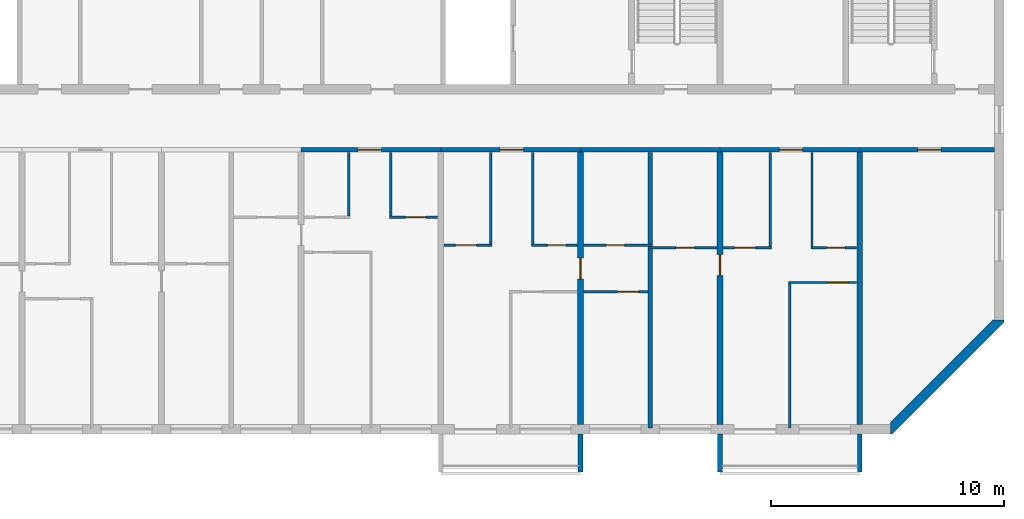
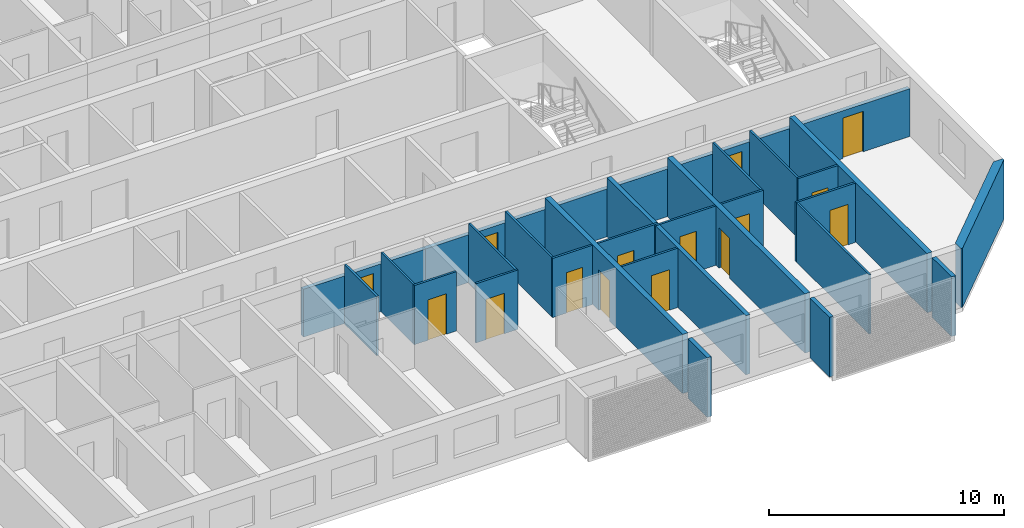
# One storey, part 5 of 28: 30 walls, 15 doors, 15 openings.
"""IFC4 building model written with IfcOpenShell, lengths in metres."""

from ifc_helpers import new_model, si_unit, direction, frame, frame_2d, origin, place, context, subcontext, project, spatial, polyline, rectangle, outline, extrude, source, transform, mapped, material, layer, layer_set, type_object, element, fill, save


model = new_model("IFC4")

# Units and contexts
model_context = context("Model", 3, precision=1e-05, world=origin(), true_north=direction((0.0, 1.0)))
body_context = subcontext(model_context, "Body", "Model", "MODEL_VIEW")
ifc_project = project(units=[si_unit("LENGTHUNIT", "METRE"), si_unit("AREAUNIT", "SQUARE_METRE"), si_unit("VOLUMEUNIT", "CUBIC_METRE"), si_unit("PLANEANGLEUNIT", "RADIAN"), si_unit("MASSUNIT", "GRAM", prefix="KILO")], contexts=[model_context])

# Site, building, storey
site_placement = place(None, origin())
site = spatial("IfcSite", under=ifc_project, at=site_placement, CompositionType="ELEMENT")
building_placement = place(site_placement, origin())
building = spatial("IfcBuilding", under=site, at=building_placement, Name="Poui Terraces", CompositionType="ELEMENT")
storey_placement = place(building_placement, frame((0.0, 0.0, 185.10009765625)))
storey = spatial("IfcBuildingStorey", under=building, at=storey_placement, Name="L51", CompositionType="ELEMENT", Elevation=185.10009765625)

# Wall, opening, door
ifc_material_1 = material(Name="Concrete 50 MPa", Category="concrete")
ifc_layer_1 = layer(ifc_material_1, 0.199951171875)
ifc_layer_set_1 = layer_set([ifc_layer_1], Name="Concrete 50 MPa")
wall_type_1 = type_object("IfcWallType", Name="CORRIDOR WALL 200 50MPa", PredefinedType="SHEAR", material=ifc_layer_set_1)
wall_1_placement = place(storey_placement, frame((54.0, 12.0, 0.0), z_axis=(0.0, 0.0, 1.0), x_axis=(1.0, 0.0, 0.0)))
wall_1 = element("IfcWall", 1, at=wall_1_placement, inside=storey, type_object=wall_type_1, Name="CORRIDOR WALL LINE B BAY 7", PredefinedType="SHEAR", context=body_context, shape_type="SweptSolid", body=[
    extrude(rectangle(XDim=6.0, YDim=0.199951171875, at=frame_2d((3.0, 0.0))), origin(), (0.0, 0.0, 1.0), 2.47998046875),
])
opening_1_placement = place(wall_1_placement, frame((2.449951171875, 0.0, 0.0)))
opening_1 = element("IfcOpeningElement", 2, at=opening_1_placement, cuts=wall_1, Name="Opening FD30S", PredefinedType="OPENING", context=body_context, shape_type="SweptSolid", body=[
    extrude(rectangle(XDim=1.0, YDim=2.10009765625, at=frame_2d((0.5, 1.050048828125))), frame((0.0, 0.10986328125, 0.0), z_axis=(0.0, -1.0, 0.0), x_axis=(1.0, 0.0, 0.0)), (0.0, 0.0, 1.0), 0.219970703125),
])
ifc_material_2 = material(Name="Steel fire door", Category="steel")
door_type_1 = type_object("IfcDoorType", Name="FLAT ENTRANCE DOOR 1000 X 2100", OperationType="NOTDEFINED", PredefinedType="DOOR", material=ifc_material_2)
door_1_placement = place(opening_1_placement, frame((1.0, 0.0, 0.0), z_axis=(0.0, 0.0, 1.0), x_axis=(-1.0, 0.0, 0.0)))
door_1 = element("IfcDoor", 3, at=door_1_placement, inside=storey, type_object=door_type_1, Name="FLAT ENTRANCE DOOR 086", OperationType="SINGLE_SWING_RIGHT", OverallHeight=2.10009765625, OverallWidth=1.0, PredefinedType="DOOR", context=body_context, shape_type="SweptSolid", body=[
    extrude(rectangle(XDim=1.0, YDim=2.10009765625, at=frame_2d((0.5, 1.050048828125))), frame((0.0, 0.02490234375, 0.0), z_axis=(0.0, -1.0, 0.0), x_axis=(1.0, 0.0, 0.0)), (0.0, 0.0, 1.0), 0.050048828125),
])
fill(opening_1, door_1)

wall_2_placement = place(storey_placement, frame((60.0, 12.0, 0.0), z_axis=(0.0, 0.0, 1.0), x_axis=(1.0, 0.0, 0.0)))
wall_2 = element("IfcWall", 4, at=wall_2_placement, inside=storey, type_object=wall_type_1, Name="CORRIDOR WALL LINE B BAY 8", PredefinedType="SHEAR", context=body_context, shape_type="SweptSolid", body=[
    extrude(rectangle(XDim=6.0, YDim=0.199951171875, at=frame_2d((3.0, 0.0))), origin(), (0.0, 0.0, 1.0), 2.47998046875),
])
opening_2_placement = place(wall_2_placement, frame((2.550048828125, 0.0, 0.0)))
opening_2 = element("IfcOpeningElement", 5, at=opening_2_placement, cuts=wall_2, Name="Opening FD30S", PredefinedType="OPENING", context=body_context, shape_type="SweptSolid", body=[
    extrude(rectangle(XDim=1.0, YDim=2.10009765625, at=frame_2d((0.5, 1.050048828125))), frame((0.0, 0.10986328125, 0.0), z_axis=(0.0, -1.0, 0.0), x_axis=(1.0, 0.0, 0.0)), (0.0, 0.0, 1.0), 0.219970703125),
])
door_2_placement = place(opening_2_placement, frame((1.0, 0.0, 0.0), z_axis=(0.0, 0.0, 1.0), x_axis=(-1.0, 0.0, 0.0)))
door_2 = element("IfcDoor", 6, at=door_2_placement, inside=storey, type_object=door_type_1, Name="FLAT ENTRANCE DOOR 091", OperationType="SINGLE_SWING_LEFT", OverallHeight=2.10009765625, OverallWidth=1.0, PredefinedType="DOOR", context=body_context, shape_type="SweptSolid", body=[
    extrude(rectangle(XDim=1.0, YDim=2.10009765625, at=frame_2d((0.5, 1.050048828125))), frame((0.0, 0.02490234375, 0.0), z_axis=(0.0, -1.0, 0.0), x_axis=(1.0, 0.0, 0.0)), (0.0, 0.0, 1.0), 0.050048828125),
])
fill(opening_2, door_2)

# Wall
wall_3_placement = place(storey_placement, frame((66.0, 12.0, 0.0), z_axis=(0.0, 0.0, 1.0), x_axis=(1.0, 0.0, 0.0)))
element("IfcWall", 7, at=wall_3_placement, inside=storey, type_object=wall_type_1, Name="CORRIDOR WALL LINE B BAY 9", PredefinedType="SHEAR", context=body_context, shape_type="SweptSolid", body=[
    extrude(rectangle(XDim=6.0, YDim=0.199951171875, at=frame_2d((3.0, 0.0))), origin(), (0.0, 0.0, 1.0), 2.47998046875),
])

# Wall, opening, door
wall_4_placement = place(storey_placement, frame((72.0, 12.0, 0.0), z_axis=(0.0, 0.0, 1.0), x_axis=(1.0, 0.0, 0.0)))
wall_4 = element("IfcWall", 8, at=wall_4_placement, inside=storey, type_object=wall_type_1, Name="CORRIDOR WALL LINE B BAY 10", PredefinedType="SHEAR", context=body_context, shape_type="SweptSolid", body=[
    extrude(rectangle(XDim=6.0, YDim=0.199951171875, at=frame_2d((3.0, 0.0))), origin(), (0.0, 0.0, 1.0), 2.47998046875),
])
opening_3_placement = place(wall_4_placement, frame((2.550048828125, 0.0, 0.0)))
opening_3 = element("IfcOpeningElement", 9, at=opening_3_placement, cuts=wall_4, Name="Opening FD30S", PredefinedType="OPENING", context=body_context, shape_type="SweptSolid", body=[
    extrude(rectangle(XDim=1.0, YDim=2.10009765625, at=frame_2d((0.5, 1.050048828125))), frame((0.0, 0.10986328125, 0.0), z_axis=(0.0, -1.0, 0.0), x_axis=(1.0, 0.0, 0.0)), (0.0, 0.0, 1.0), 0.219970703125),
])
door_3_placement = place(opening_3_placement, frame((1.0, 0.0, 0.0), z_axis=(0.0, 0.0, 1.0), x_axis=(-1.0, 0.0, 0.0)))
door_3 = element("IfcDoor", 10, at=door_3_placement, inside=storey, type_object=door_type_1, Name="FLAT ENTRANCE DOOR 098", OperationType="SINGLE_SWING_LEFT", OverallHeight=2.10009765625, OverallWidth=1.0, PredefinedType="DOOR", context=body_context, shape_type="SweptSolid", body=[
    extrude(rectangle(XDim=1.0, YDim=2.10009765625, at=frame_2d((0.5, 1.050048828125))), frame((0.0, 0.02490234375, 0.0), z_axis=(0.0, -1.0, 0.0), x_axis=(1.0, 0.0, 0.0)), (0.0, 0.0, 1.0), 0.050048828125),
])
fill(opening_3, door_3)

wall_5_placement = place(storey_placement, frame((78.0, 12.0, 0.0), z_axis=(0.0, 0.0, 1.0), x_axis=(1.0, 0.0, 0.0)))
wall_5 = element("IfcWall", 11, at=wall_5_placement, inside=storey, type_object=wall_type_1, Name="CORRIDOR WALL LINE B BAY 11", PredefinedType="SHEAR", context=body_context, shape_type="SweptSolid", body=[
    extrude(rectangle(XDim=5.800048828125, YDim=0.199951171875, at=frame_2d((2.89990234375, 0.0))), origin(), (0.0, 0.0, 1.0), 2.47998046875),
])
opening_4_placement = place(wall_5_placement, frame((2.5, 0.0, 0.0)))
opening_4 = element("IfcOpeningElement", 12, at=opening_4_placement, cuts=wall_5, Name="Opening D100", PredefinedType="OPENING", context=body_context, shape_type="SweptSolid", body=[
    extrude(rectangle(XDim=1.0, YDim=2.10009765625, at=frame_2d((0.5, 1.050048828125))), frame((0.0, 0.10986328125, 0.0), z_axis=(0.0, -1.0, 0.0), x_axis=(1.0, 0.0, 0.0)), (0.0, 0.0, 1.0), 0.219970703125),
])
ifc_material_3 = material(Name="Solid core timber door", Category="wood")
door_type_2 = type_object("IfcDoorType", Name="ACCESSIBLE INTERNAL DOOR 1000 X 2100", OperationType="NOTDEFINED", PredefinedType="DOOR", material=ifc_material_3)
door_4_placement = place(opening_4_placement, frame((1.0, 0.0, 0.0), z_axis=(0.0, 0.0, 1.0), x_axis=(-1.0, 0.0, 0.0)))
door_4 = element("IfcDoor", 13, at=door_4_placement, inside=storey, type_object=door_type_2, Name="ACCESSIBLE INTERNAL DOOR 101", OperationType="SINGLE_SWING_RIGHT", OverallHeight=2.10009765625, OverallWidth=1.0, PredefinedType="DOOR", context=body_context, shape_type="SweptSolid", body=[
    extrude(rectangle(XDim=1.0, YDim=2.10009765625, at=frame_2d((0.5, 1.050048828125))), frame((0.0, 0.02490234375, 0.0), z_axis=(0.0, -1.0, 0.0), x_axis=(1.0, 0.0, 0.0)), (0.0, 0.0, 1.0), 0.050048828125),
])
fill(opening_4, door_4)

ifc_layer_2 = layer(ifc_material_1, 0.25)
ifc_layer_set_2 = layer_set([ifc_layer_2], Name="Concrete 50 MPa")
wall_type_2 = type_object("IfcWallType", Name="CROSS WALL 250 50MPa", PredefinedType="SHEAR", material=ifc_layer_set_2)
wall_6_placement = place(storey_placement, frame((66.0, 0.199951171875, 0.0), z_axis=(0.0, 0.0, 1.0), x_axis=(0.0, 1.0, 0.0)))
wall_6 = element("IfcWall", 14, at=wall_6_placement, inside=storey, type_object=wall_type_2, Name="CROSS WALL LINE 12 SOUTH", PredefinedType="SHEAR", context=body_context, shape_type="SweptSolid", body=[
    extrude(rectangle(XDim=11.699951171875, YDim=0.25, at=frame_2d((5.85009765625, 0.0))), origin(), (0.0, 0.0, 1.0), 3.079833984375),
])
opening_5_placement = place(wall_6_placement, frame((6.25, 0.0, 0.0)))
opening_5 = element("IfcOpeningElement", 15, at=opening_5_placement, cuts=wall_6, Name="Opening D90", PredefinedType="OPENING", context=body_context, shape_type="SweptSolid", body=[
    extrude(rectangle(XDim=0.89990234375, YDim=2.10009765625, at=frame_2d((0.449951171875, 1.050048828125))), frame((0.0, 0.135009765625, 0.0), z_axis=(0.0, -1.0, 0.0), x_axis=(1.0, 0.0, 0.0)), (0.0, 0.0, 1.0), 0.27001953125),
])
door_type_3 = type_object("IfcDoorType", Name="INTERNAL DOOR 900 X 2100", OperationType="NOTDEFINED", PredefinedType="DOOR", material=ifc_material_3)
door_5_placement = place(opening_5_placement, origin())
door_5 = element("IfcDoor", 16, at=door_5_placement, inside=storey, type_object=door_type_3, Name="INTERNAL DOOR 094", OperationType="SINGLE_SWING_RIGHT", OverallHeight=2.10009765625, OverallWidth=0.89990234375, PredefinedType="DOOR", context=body_context, shape_type="SweptSolid", body=[
    extrude(rectangle(XDim=0.89990234375, YDim=2.10009765625, at=frame_2d((0.449951171875, 1.050048828125))), frame((0.0, 0.02490234375, 0.0), z_axis=(0.0, -1.0, 0.0), x_axis=(1.0, 0.0, 0.0)), (0.0, 0.0, 1.0), 0.050048828125),
])
fill(opening_5, door_5)

wall_7_placement = place(storey_placement, frame((72.0, 0.199951171875, 0.0), z_axis=(0.0, 0.0, 1.0), x_axis=(0.0, 1.0, 0.0)))
wall_7 = element("IfcWall", 17, at=wall_7_placement, inside=storey, type_object=wall_type_2, Name="CROSS WALL LINE 13 SOUTH", PredefinedType="SHEAR", context=body_context, shape_type="SweptSolid", body=[
    extrude(rectangle(XDim=11.699951171875, YDim=0.25, at=frame_2d((5.85009765625, 0.0))), origin(), (0.0, 0.0, 1.0), 3.079833984375),
])
opening_6_placement = place(wall_7_placement, frame((6.39990234375, 0.0, 0.0)))
opening_6 = element("IfcOpeningElement", 18, at=opening_6_placement, cuts=wall_7, Name="Opening D90", PredefinedType="OPENING", context=body_context, shape_type="SweptSolid", body=[
    extrude(rectangle(XDim=0.89990234375, YDim=2.10009765625, at=frame_2d((0.449951171875, 1.050048828125))), frame((0.0, 0.135009765625, 0.0), z_axis=(0.0, -1.0, 0.0), x_axis=(1.0, 0.0, 0.0)), (0.0, 0.0, 1.0), 0.27001953125),
])
door_6_placement = place(opening_6_placement, origin())
door_6 = element("IfcDoor", 19, at=door_6_placement, inside=storey, type_object=door_type_3, Name="INTERNAL DOOR 096", OperationType="SINGLE_SWING_RIGHT", OverallHeight=2.10009765625, OverallWidth=0.89990234375, PredefinedType="DOOR", context=body_context, shape_type="SweptSolid", body=[
    extrude(rectangle(XDim=0.89990234375, YDim=2.10009765625, at=frame_2d((0.449951171875, 1.050048828125))), frame((0.0, 0.02490234375, 0.0), z_axis=(0.0, -1.0, 0.0), x_axis=(1.0, 0.0, 0.0)), (0.0, 0.0, 1.0), 0.050048828125),
])
fill(opening_6, door_6)

# Wall
wall_8_placement = place(storey_placement, frame((78.0, 0.199951171875, 0.0), z_axis=(0.0, 0.0, 1.0), x_axis=(0.0, 1.0, 0.0)))
element("IfcWall", 20, at=wall_8_placement, inside=storey, type_object=wall_type_2, Name="CROSS WALL LINE 14 SOUTH", PredefinedType="SHEAR", context=body_context, shape_type="SweptSolid", body=[
    extrude(rectangle(XDim=11.699951171875, YDim=0.25, at=frame_2d((5.85009765625, 0.0))), origin(), (0.0, 0.0, 1.0), 3.079833984375),
])

# Wall, opening, door
ifc_material_4 = material(Name="Plasterboard partition")
ifc_layer_3 = layer(ifc_material_4, 0.10009765625)
ifc_layer_set_3 = layer_set([ifc_layer_3], Name="Plasterboard partition")
wall_type_3 = type_object("IfcWallType", Name="FLAT PARTITION 100", PredefinedType="PARTITIONING", material=ifc_layer_set_3)
wall_9_placement = place(storey_placement, frame((66.135009765625, 5.89990234375, 0.0), z_axis=(0.0, 0.0, 1.0), x_axis=(1.0, 0.0, 0.0)))
wall_9 = element("IfcWall", 21, at=wall_9_placement, inside=storey, type_object=wall_type_3, Name="FLAT PARTITION 100", PredefinedType="PARTITIONING", context=body_context, shape_type="SweptSolid", body=[
    extrude(rectangle(XDim=2.764892578125, YDim=0.10009765625, at=frame_2d((1.38232421875, 0.0))), origin(), (0.0, 0.0, 1.0), 3.079833984375),
])
opening_7_placement = place(wall_9_placement, frame((1.465087890625, 0.0, 0.0)))
opening_7 = element("IfcOpeningElement", 22, at=opening_7_placement, cuts=wall_9, Name="Opening D90", PredefinedType="OPENING", context=body_context, shape_type="SweptSolid", body=[
    extrude(rectangle(XDim=0.89990234375, YDim=2.10009765625, at=frame_2d((0.449951171875, 1.050048828125))), frame((0.0, 0.06005859375, 0.0), z_axis=(0.0, -1.0, 0.0), x_axis=(1.0, 0.0, 0.0)), (0.0, 0.0, 1.0), 0.1201171875),
])
door_7_placement = place(opening_7_placement, frame((0.89990234375, 0.0, 0.0), z_axis=(0.0, 0.0, 1.0), x_axis=(-1.0, 0.0, 0.0)))
door_7 = element("IfcDoor", 23, at=door_7_placement, inside=storey, type_object=door_type_3, Name="INTERNAL DOOR 089", OperationType="SINGLE_SWING_LEFT", OverallHeight=2.10009765625, OverallWidth=0.89990234375, PredefinedType="DOOR", context=body_context, shape_type="SweptSolid", body=[
    extrude(rectangle(XDim=0.89990234375, YDim=2.10009765625, at=frame_2d((0.449951171875, 1.050048828125))), frame((0.0, 0.02490234375, 0.0), z_axis=(0.0, -1.0, 0.0), x_axis=(1.0, 0.0, 0.0)), (0.0, 0.0, 1.0), 0.050048828125),
])
fill(opening_7, door_7)

wall_10_placement = place(storey_placement, frame((74.949951171875, 6.300048828125, 0.0), z_axis=(0.0, 0.0, 1.0), x_axis=(1.0, 0.0, 0.0)))
wall_10 = element("IfcWall", 24, at=wall_10_placement, inside=storey, type_object=wall_type_3, Name="FLAT PARTITION 100", PredefinedType="PARTITIONING", context=body_context, shape_type="SweptSolid", body=[
    extrude(rectangle(XDim=2.9150390625, YDim=0.10009765625, at=frame_2d((1.45751953125, 0.0))), origin(), (0.0, 0.0, 1.0), 3.079833984375),
])
opening_8_placement = place(wall_10_placement, frame((1.64990234375, 0.0, 0.0)))
opening_8 = element("IfcOpeningElement", 25, at=opening_8_placement, cuts=wall_10, Name="Opening D90", PredefinedType="OPENING", context=body_context, shape_type="SweptSolid", body=[
    extrude(rectangle(XDim=0.89990234375, YDim=2.10009765625, at=frame_2d((0.449951171875, 1.050048828125))), frame((0.0, 0.06005859375, 0.0), z_axis=(0.0, -1.0, 0.0), x_axis=(1.0, 0.0, 0.0)), (0.0, 0.0, 1.0), 0.1201171875),
])
door_8_placement = place(opening_8_placement, origin())
door_8 = element("IfcDoor", 26, at=door_8_placement, inside=storey, type_object=door_type_3, Name="INTERNAL DOOR 100", OperationType="SINGLE_SWING_LEFT", OverallHeight=2.10009765625, OverallWidth=0.89990234375, PredefinedType="DOOR", context=body_context, shape_type="SweptSolid", body=[
    extrude(rectangle(XDim=0.89990234375, YDim=2.10009765625, at=frame_2d((0.449951171875, 1.050048828125))), frame((0.0, 0.02490234375, 0.0), z_axis=(0.0, -1.0, 0.0), x_axis=(1.0, 0.0, 0.0)), (0.0, 0.0, 1.0), 0.050048828125),
])
fill(opening_8, door_8)

wall_11_placement = place(storey_placement, frame((68.89990234375, 7.800048828125, 0.0), z_axis=(0.0, 0.0, 1.0), x_axis=(1.0, 0.0, 0.0)))
wall_11 = element("IfcWall", 27, at=wall_11_placement, inside=storey, type_object=wall_type_3, Name="FLAT PARTITION 100", PredefinedType="PARTITIONING", context=body_context, shape_type="SweptSolid", body=[
    extrude(rectangle(XDim=2.965087890625, YDim=0.10009765625, at=frame_2d((1.482421875, 0.0))), origin(), (0.0, 0.0, 1.0), 3.079833984375),
])
opening_9_placement = place(wall_11_placement, frame((1.199951171875, 0.0, 0.0)))
opening_9 = element("IfcOpeningElement", 28, at=opening_9_placement, cuts=wall_11, Name="Opening D80", PredefinedType="OPENING", context=body_context, shape_type="SweptSolid", body=[
    extrude(rectangle(XDim=0.800048828125, YDim=2.10009765625, at=frame_2d((0.39990234375, 1.050048828125))), frame((0.0, 0.06005859375, 0.0), z_axis=(0.0, -1.0, 0.0), x_axis=(1.0, 0.0, 0.0)), (0.0, 0.0, 1.0), 0.1201171875),
])
door_type_4 = type_object("IfcDoorType", Name="BATHROOM, LAUNDRY AND STORE DOOR 800 X 2100", OperationType="NOTDEFINED", PredefinedType="DOOR", material=ifc_material_3)
door_9_placement = place(opening_9_placement, origin())
door_9 = element("IfcDoor", 29, at=door_9_placement, inside=storey, type_object=door_type_4, Name="BATHROOM, LAUNDRY AND STORE DOOR 095", OperationType="SINGLE_SWING_LEFT", OverallHeight=2.10009765625, OverallWidth=0.800048828125, PredefinedType="DOOR", context=body_context, shape_type="SweptSolid", body=[
    extrude(rectangle(XDim=0.800048828125, YDim=2.10009765625, at=frame_2d((0.39990234375, 1.050048828125))), frame((0.0, 0.02490234375, 0.0), z_axis=(0.0, -1.0, 0.0), x_axis=(1.0, 0.0, 0.0)), (0.0, 0.0, 1.0), 0.050048828125),
])
fill(opening_9, door_9)

wall_12_placement = place(storey_placement, frame((72.135009765625, 7.800048828125, 0.0), z_axis=(0.0, 0.0, 1.0), x_axis=(1.0, 0.0, 0.0)))
wall_12 = element("IfcWall", 30, at=wall_12_placement, inside=storey, type_object=wall_type_3, Name="FLAT PARTITION 100", PredefinedType="PARTITIONING", context=body_context, shape_type="SweptSolid", body=[
    extrude(rectangle(XDim=2.06494140625, YDim=0.10009765625, at=frame_2d((1.032470703125, 0.0))), origin(), (0.0, 0.0, 1.0), 3.079833984375),
])
opening_10_placement = place(wall_12_placement, frame((0.489990234375, 0.0, 0.0)))
opening_10 = element("IfcOpeningElement", 31, at=opening_10_placement, cuts=wall_12, Name="Opening D90", PredefinedType="OPENING", context=body_context, shape_type="SweptSolid", body=[
    extrude(rectangle(XDim=0.89990234375, YDim=2.10009765625, at=frame_2d((0.449951171875, 1.050048828125))), frame((0.0, 0.06005859375, 0.0), z_axis=(0.0, -1.0, 0.0), x_axis=(1.0, 0.0, 0.0)), (0.0, 0.0, 1.0), 0.1201171875),
])
door_10_placement = place(opening_10_placement, origin())
door_10 = element("IfcDoor", 32, at=door_10_placement, inside=storey, type_object=door_type_3, Name="INTERNAL DOOR 097", OperationType="SINGLE_SWING_LEFT", OverallHeight=2.10009765625, OverallWidth=0.89990234375, PredefinedType="DOOR", context=body_context, shape_type="SweptSolid", body=[
    extrude(rectangle(XDim=0.89990234375, YDim=2.10009765625, at=frame_2d((0.449951171875, 1.050048828125))), frame((0.0, 0.02490234375, 0.0), z_axis=(0.0, -1.0, 0.0), x_axis=(1.0, 0.0, 0.0)), (0.0, 0.0, 1.0), 0.050048828125),
])
fill(opening_10, door_10)

wall_13_placement = place(storey_placement, frame((75.89990234375, 7.800048828125, 0.0), z_axis=(0.0, 0.0, 1.0), x_axis=(1.0, 0.0, 0.0)))
wall_13 = element("IfcWall", 33, at=wall_13_placement, inside=storey, type_object=wall_type_3, Name="FLAT PARTITION 100", PredefinedType="PARTITIONING", context=body_context, shape_type="SweptSolid", body=[
    extrude(rectangle(XDim=1.965087890625, YDim=0.10009765625, at=frame_2d((0.982421875, 0.0))), origin(), (0.0, 0.0, 1.0), 3.079833984375),
])
opening_11_placement = place(wall_13_placement, frame((0.675048828125, 0.0, 0.0)))
opening_11 = element("IfcOpeningElement", 34, at=opening_11_placement, cuts=wall_13, Name="Opening D80", PredefinedType="OPENING", context=body_context, shape_type="SweptSolid", body=[
    extrude(rectangle(XDim=0.800048828125, YDim=2.10009765625, at=frame_2d((0.39990234375, 1.050048828125))), frame((0.0, 0.06005859375, 0.0), z_axis=(0.0, -1.0, 0.0), x_axis=(1.0, 0.0, 0.0)), (0.0, 0.0, 1.0), 0.1201171875),
])
door_11_placement = place(opening_11_placement, origin())
door_11 = element("IfcDoor", 35, at=door_11_placement, inside=storey, type_object=door_type_4, Name="BATHROOM, LAUNDRY AND STORE DOOR 099", OperationType="SINGLE_SWING_RIGHT", OverallHeight=2.10009765625, OverallWidth=0.800048828125, PredefinedType="DOOR", context=body_context, shape_type="SweptSolid", body=[
    extrude(rectangle(XDim=0.800048828125, YDim=2.10009765625, at=frame_2d((0.39990234375, 1.050048828125))), frame((0.0, 0.02490234375, 0.0), z_axis=(0.0, -1.0, 0.0), x_axis=(1.0, 0.0, 0.0)), (0.0, 0.0, 1.0), 0.050048828125),
])
fill(opening_11, door_11)

wall_14_placement = place(storey_placement, frame((60.135009765625, 7.89990234375, 0.0), z_axis=(0.0, 0.0, 1.0), x_axis=(1.0, 0.0, 0.0)))
wall_14 = element("IfcWall", 36, at=wall_14_placement, inside=storey, type_object=wall_type_3, Name="FLAT PARTITION 100", PredefinedType="PARTITIONING", context=body_context, shape_type="SweptSolid", body=[
    extrude(rectangle(XDim=2.06494140625, YDim=0.10009765625, at=frame_2d((1.032470703125, 0.0))), origin(), (0.0, 0.0, 1.0), 3.079833984375),
])
opening_12_placement = place(wall_14_placement, frame((0.489990234375, 0.0, 0.0)))
opening_12 = element("IfcOpeningElement", 37, at=opening_12_placement, cuts=wall_14, Name="Opening D90", PredefinedType="OPENING", context=body_context, shape_type="SweptSolid", body=[
    extrude(rectangle(XDim=0.89990234375, YDim=2.10009765625, at=frame_2d((0.449951171875, 1.050048828125))), frame((0.0, 0.06005859375, 0.0), z_axis=(0.0, -1.0, 0.0), x_axis=(1.0, 0.0, 0.0)), (0.0, 0.0, 1.0), 0.1201171875),
])
door_12_placement = place(opening_12_placement, origin())
door_12 = element("IfcDoor", 38, at=door_12_placement, inside=storey, type_object=door_type_3, Name="INTERNAL DOOR 090", OperationType="SINGLE_SWING_RIGHT", OverallHeight=2.10009765625, OverallWidth=0.89990234375, PredefinedType="DOOR", context=body_context, shape_type="SweptSolid", body=[
    extrude(rectangle(XDim=0.89990234375, YDim=2.10009765625, at=frame_2d((0.449951171875, 1.050048828125))), frame((0.0, 0.02490234375, 0.0), z_axis=(0.0, -1.0, 0.0), x_axis=(1.0, 0.0, 0.0)), (0.0, 0.0, 1.0), 0.050048828125),
])
fill(opening_12, door_12)

wall_15_placement = place(storey_placement, frame((63.89990234375, 7.89990234375, 0.0), z_axis=(0.0, 0.0, 1.0), x_axis=(1.0, 0.0, 0.0)))
wall_15 = element("IfcWall", 39, at=wall_15_placement, inside=storey, type_object=wall_type_3, Name="FLAT PARTITION 100", PredefinedType="PARTITIONING", context=body_context, shape_type="SweptSolid", body=[
    extrude(rectangle(XDim=1.965087890625, YDim=0.10009765625, at=frame_2d((0.982421875, 0.0))), origin(), (0.0, 0.0, 1.0), 3.079833984375),
])
opening_13_placement = place(wall_15_placement, frame((0.675048828125, 0.0, 0.0)))
opening_13 = element("IfcOpeningElement", 40, at=opening_13_placement, cuts=wall_15, Name="Opening D80", PredefinedType="OPENING", context=body_context, shape_type="SweptSolid", body=[
    extrude(rectangle(XDim=0.800048828125, YDim=2.10009765625, at=frame_2d((0.39990234375, 1.050048828125))), frame((0.0, 0.06005859375, 0.0), z_axis=(0.0, -1.0, 0.0), x_axis=(1.0, 0.0, 0.0)), (0.0, 0.0, 1.0), 0.1201171875),
])
door_13_placement = place(opening_13_placement, origin())
door_13 = element("IfcDoor", 41, at=door_13_placement, inside=storey, type_object=door_type_4, Name="BATHROOM, LAUNDRY AND STORE DOOR 093", OperationType="SINGLE_SWING_LEFT", OverallHeight=2.10009765625, OverallWidth=0.800048828125, PredefinedType="DOOR", context=body_context, shape_type="SweptSolid", body=[
    extrude(rectangle(XDim=0.800048828125, YDim=2.10009765625, at=frame_2d((0.39990234375, 1.050048828125))), frame((0.0, 0.02490234375, 0.0), z_axis=(0.0, -1.0, 0.0), x_axis=(1.0, 0.0, 0.0)), (0.0, 0.0, 1.0), 0.050048828125),
])
fill(opening_13, door_13)

wall_16_placement = place(storey_placement, frame((66.135009765625, 7.89990234375, 0.0), z_axis=(0.0, 0.0, 1.0), x_axis=(1.0, 0.0, 0.0)))
wall_16 = element("IfcWall", 42, at=wall_16_placement, inside=storey, type_object=wall_type_3, Name="FLAT PARTITION 100", PredefinedType="PARTITIONING", context=body_context, shape_type="SweptSolid", body=[
    extrude(rectangle(XDim=2.965087890625, YDim=0.10009765625, at=frame_2d((1.482421875, 0.0))), origin(), (0.0, 0.0, 1.0), 3.079833984375),
])
opening_14_placement = place(wall_16_placement, frame((0.965087890625, 0.0, 0.0)))
opening_14 = element("IfcOpeningElement", 43, at=opening_14_placement, cuts=wall_16, Name="Opening D80", PredefinedType="OPENING", context=body_context, shape_type="SweptSolid", body=[
    extrude(rectangle(XDim=0.800048828125, YDim=2.10009765625, at=frame_2d((0.39990234375, 1.050048828125))), frame((0.0, 0.06005859375, 0.0), z_axis=(0.0, -1.0, 0.0), x_axis=(1.0, 0.0, 0.0)), (0.0, 0.0, 1.0), 0.1201171875),
])
door_14_placement = place(opening_14_placement, origin())
door_14 = element("IfcDoor", 44, at=door_14_placement, inside=storey, type_object=door_type_4, Name="BATHROOM, LAUNDRY AND STORE DOOR 088", OperationType="SINGLE_SWING_LEFT", OverallHeight=2.10009765625, OverallWidth=0.800048828125, PredefinedType="DOOR", context=body_context, shape_type="SweptSolid", body=[
    extrude(rectangle(XDim=0.800048828125, YDim=2.10009765625, at=frame_2d((0.39990234375, 1.050048828125))), frame((0.0, 0.02490234375, 0.0), z_axis=(0.0, -1.0, 0.0), x_axis=(1.0, 0.0, 0.0)), (0.0, 0.0, 1.0), 0.050048828125),
])
fill(opening_14, door_14)

wall_17_placement = place(storey_placement, frame((57.800048828125, 9.10009765625, 0.0), z_axis=(0.0, 0.0, 1.0), x_axis=(1.0, 0.0, 0.0)))
wall_17 = element("IfcWall", 45, at=wall_17_placement, inside=storey, type_object=wall_type_3, Name="FLAT PARTITION 100", PredefinedType="PARTITIONING", context=body_context, shape_type="SweptSolid", body=[
    extrude(rectangle(XDim=2.06494140625, YDim=0.10009765625, at=frame_2d((1.032470703125, 0.0))), origin(), (0.0, 0.0, 1.0), 3.079833984375),
])
opening_15_placement = place(wall_17_placement, frame((0.675048828125, 0.0, 0.0)))
opening_15 = element("IfcOpeningElement", 46, at=opening_15_placement, cuts=wall_17, Name="Opening D90", PredefinedType="OPENING", context=body_context, shape_type="SweptSolid", body=[
    extrude(rectangle(XDim=0.89990234375, YDim=2.10009765625, at=frame_2d((0.449951171875, 1.050048828125))), frame((0.0, 0.06005859375, 0.0), z_axis=(0.0, -1.0, 0.0), x_axis=(1.0, 0.0, 0.0)), (0.0, 0.0, 1.0), 0.1201171875),
])
door_15_placement = place(opening_15_placement, origin())
door_15 = element("IfcDoor", 47, at=door_15_placement, inside=storey, type_object=door_type_3, Name="INTERNAL DOOR 087", OperationType="SINGLE_SWING_RIGHT", OverallHeight=2.10009765625, OverallWidth=0.89990234375, PredefinedType="DOOR", context=body_context, shape_type="SweptSolid", body=[
    extrude(rectangle(XDim=0.89990234375, YDim=2.10009765625, at=frame_2d((0.449951171875, 1.050048828125))), frame((0.0, 0.02490234375, 0.0), z_axis=(0.0, -1.0, 0.0), x_axis=(1.0, 0.0, 0.0)), (0.0, 0.0, 1.0), 0.050048828125),
])
fill(opening_15, door_15)

# Walls
for number, where, z_axis, x_axis, name in (
    (48, (56.050048828125, 9.14990234375, 0.0), (0.0, 0.0, 1.0), (0.0, 1.0, 0.0), "FLAT PARTITION 100"),
    (49, (57.85009765625, 9.14990234375, 0.0), (0.0, 0.0, 1.0), (0.0, 1.0, 0.0), "FLAT PARTITION 100"),
):
    element("IfcWall", number, at=place(storey_placement, frame(where, z_axis=z_axis, x_axis=x_axis)), inside=storey, type_object=wall_type_3, Name=name, PredefinedType="PARTITIONING", context=body_context, shape_type="SweptSolid", body=[
        extrude(rectangle(XDim=2.739990234375, YDim=0.10009765625, at=frame_2d((1.3701171875, 0.0))), origin(), (0.0, 0.0, 1.0), 3.079833984375),
    ])
for number, where, z_axis, x_axis, name in (
    (50, (62.14990234375, 7.949951171875, 0.0), (0.0, 0.0, 1.0), (0.0, 1.0, 0.0), "FLAT PARTITION 100"),
    (51, (63.949951171875, 7.949951171875, 0.0), (0.0, 0.0, 1.0), (0.0, 1.0, 0.0), "FLAT PARTITION 100"),
):
    element("IfcWall", number, at=place(storey_placement, frame(where, z_axis=z_axis, x_axis=x_axis)), inside=storey, type_object=wall_type_3, Name=name, PredefinedType="PARTITIONING", context=body_context, shape_type="SweptSolid", body=[
        extrude(rectangle(XDim=3.93994140625, YDim=0.10009765625, at=frame_2d((1.969970703125, 0.0))), origin(), (0.0, 0.0, 1.0), 3.079833984375),
    ])
wall_18_placement = place(storey_placement, frame((74.14990234375, 7.85009765625, 0.0), z_axis=(0.0, 0.0, 1.0), x_axis=(0.0, 1.0, 0.0)))
element("IfcWall", 52, at=wall_18_placement, inside=storey, type_object=wall_type_3, Name="FLAT PARTITION 100", PredefinedType="PARTITIONING", context=body_context, shape_type="SweptSolid", body=[
    extrude(rectangle(XDim=4.039794921875, YDim=0.10009765625, at=frame_2d((2.02001953125, 0.0))), origin(), (0.0, 0.0, 1.0), 3.079833984375),
])
wall_19_placement = place(storey_placement, frame((75.0, 0.06005859375, 0.0), z_axis=(0.0, 0.0, 1.0), x_axis=(0.0, 1.0, 0.0)))
element("IfcWall", 53, at=wall_19_placement, inside=storey, type_object=wall_type_3, Name="FLAT PARTITION 100", PredefinedType="PARTITIONING", context=body_context, shape_type="SweptSolid", body=[
    extrude(rectangle(XDim=6.18994140625, YDim=0.10009765625, at=frame_2d((3.094970703125, 0.0))), origin(), (0.0, 0.0, 1.0), 3.079833984375),
])
wall_20_placement = place(storey_placement, frame((75.949951171875, 7.85009765625, 0.0), z_axis=(0.0, 0.0, 1.0), x_axis=(0.0, 1.0, 0.0)))
element("IfcWall", 54, at=wall_20_placement, inside=storey, type_object=wall_type_3, Name="FLAT PARTITION 100", PredefinedType="PARTITIONING", context=body_context, shape_type="SweptSolid", body=[
    extrude(rectangle(XDim=4.039794921875, YDim=0.10009765625, at=frame_2d((2.02001953125, 0.0))), origin(), (0.0, 0.0, 1.0), 3.079833984375),
])
ifc_material_5 = material(Name="Fire-rated masonry wall", Category="masonry")
ifc_layer_4 = layer(ifc_material_5, 0.199951171875)
ifc_layer_set_4 = layer_set([ifc_layer_4], Name="Fire-rated masonry wall")
wall_type_4 = type_object("IfcWallType", Name="FLAT PARTY WALL 200", PredefinedType="PARTITIONING", material=ifc_layer_set_4)
wall_21_placement = place(storey_placement, frame((69.0, 0.06005859375, 0.0), z_axis=(0.0, 0.0, 1.0), x_axis=(0.0, 1.0, 0.0)))
element("IfcWall", 55, at=wall_21_placement, inside=storey, type_object=wall_type_4, Name="FLAT PARTY WALL 200", PredefinedType="PARTITIONING", context=body_context, shape_type="SweptSolid", body=[
    extrude(rectangle(XDim=7.68994140625, YDim=0.199951171875, at=frame_2d((3.844970703125, 0.0))), origin(), (0.0, 0.0, 1.0), 3.079833984375),
])
wall_22_placement = place(storey_placement, frame((69.0, 7.949951171875, 0.0), z_axis=(0.0, 0.0, 1.0), x_axis=(0.0, 1.0, 0.0)))
element("IfcWall", 56, at=wall_22_placement, inside=storey, type_object=wall_type_4, Name="FLAT PARTY WALL 200", PredefinedType="PARTITIONING", context=body_context, shape_type="SweptSolid", body=[
    extrude(rectangle(XDim=3.93994140625, YDim=0.199951171875, at=frame_2d((1.969970703125, 0.0))), origin(), (0.0, 0.0, 1.0), 3.079833984375),
])
ifc_material_6 = material(Name="Precast concrete 40 MPa", Category="concrete")
ifc_layer_5 = layer(ifc_material_6, 0.39990234375)
ifc_layer_set_5 = layer_set([ifc_layer_5], Name="Precast concrete 40 MPa")
wall_type_5 = type_object("IfcWallType", Name="TERRACOTTA CLAD CHAMFER WALL 400", PredefinedType="STANDARD", material=ifc_layer_set_5)
wall_23_placement = place(storey_placement, origin())
element("IfcWall", 57, at=wall_23_placement, inside=storey, type_object=wall_type_5, Name="CHAMFER WALL CH01", PredefinedType="STANDARD", context=body_context, shape_type="SweptSolid", body=[
    extrude(outline(polyline([(79.317138671875, -0.199951171875), (79.39990234375, -0.199951171875), (84.199951171875, 4.60009765625), (84.199951171875, 4.682861328125), (83.71728515625, 4.682861328125), (79.317138671875, 0.28271484375), (79.317138671875, -0.199951171875)])), origin(), (0.0, 0.0, 1.0), 3.079833984375),
])
ifc_layer_6 = layer(ifc_material_6, 0.199951171875)
ifc_layer_set_6 = layer_set([ifc_layer_6], Name="Precast concrete 40 MPa")
wall_type_6 = type_object("IfcWallType", Name="REAR FIN 200", PredefinedType="STANDARD", material=ifc_layer_set_6)
shared_shape = source(origin(), body_context, "Body", "SweptSolid", [
    extrude(outline(polyline([(0.0, 0.0), (0.2001953125, 0.0), (0.2001953125, 1.650146484375), (0.0, 1.650146484375), (0.0, 0.0)])), origin(), (0.0, 0.0, 1.0), 3.099853515625),
])
for number, where, name in (
    (58, (65.89990234375, -1.85009765625, 0.0), "REAR FIN"),
    (59, (71.89990234375, -1.85009765625, 0.0), "REAR FIN"),
    (60, (77.89990234375, -1.85009765625, 0.0), "REAR FIN"),
):
    element("IfcWall", number, at=place(storey_placement, frame(where)), inside=storey, type_object=wall_type_6, Name=name, PredefinedType="STANDARD", context=body_context, shape_type="MappedRepresentation", body=[
        mapped(shared_shape, transform((0.0, 0.0, 0.0))),
    ])

save(model, "model.ifc")
